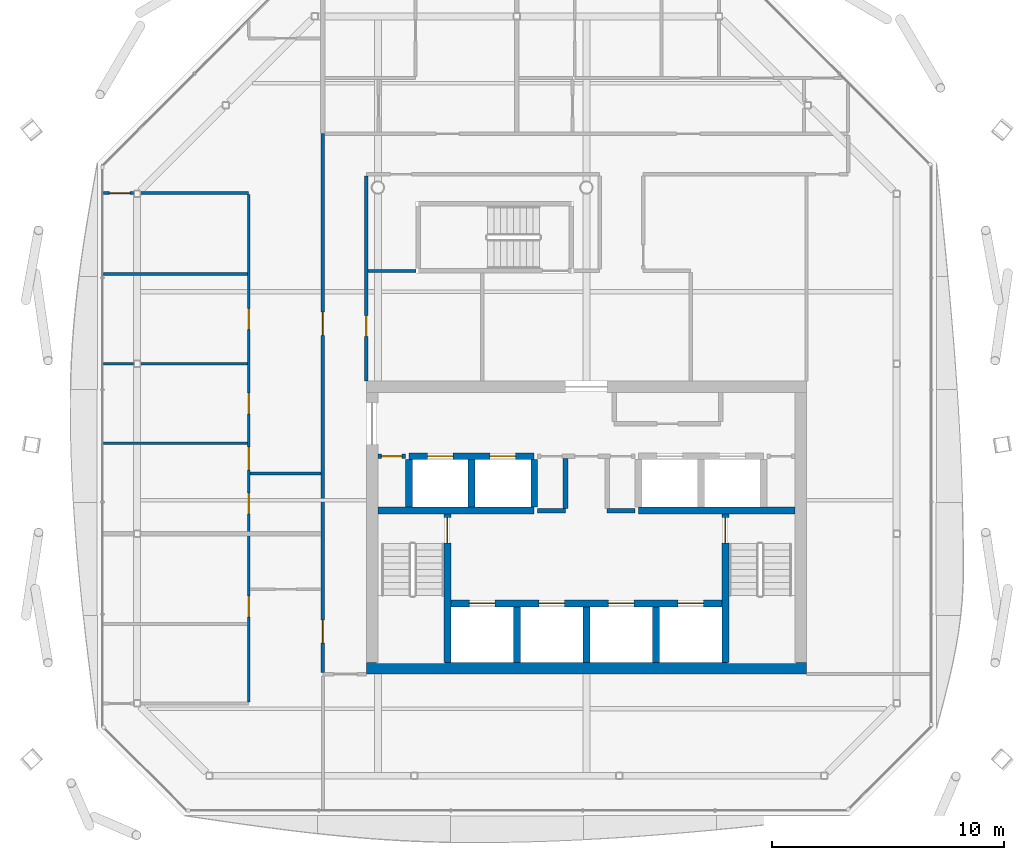
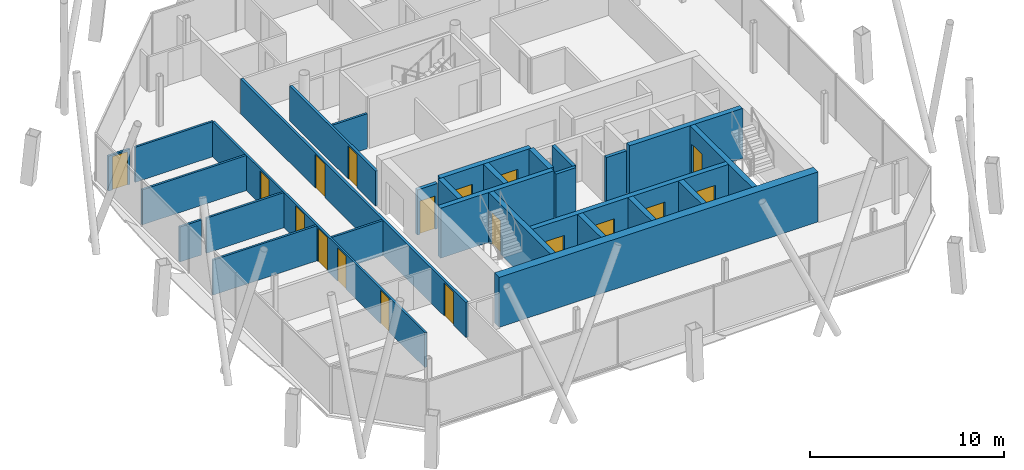
# One storey, part 12 of 17: 28 walls, 18 doors, 18 openings.
"""IFC4 building model written with IfcOpenShell, lengths in metres."""

from ifc_helpers import new_model, si_unit, direction, frame, frame_2d, origin, place, context, subcontext, project, spatial, rectangle, extrude, material, layer, layer_set, type_object, element, fill, save


model = new_model("IFC4")

# Units and contexts
model_context = context("Model", 3, precision=1e-05, world=origin(), true_north=direction((0.0, 1.0)))
body_context = subcontext(model_context, "Body", "Model", "MODEL_VIEW")
ifc_project = project(units=[si_unit("LENGTHUNIT", "METRE"), si_unit("AREAUNIT", "SQUARE_METRE"), si_unit("VOLUMEUNIT", "CUBIC_METRE"), si_unit("PLANEANGLEUNIT", "RADIAN"), si_unit("MASSUNIT", "GRAM", prefix="KILO")], contexts=[model_context])

# Site, building, storey
site_placement = place(None, origin())
site = spatial("IfcSite", under=ifc_project, at=site_placement, CompositionType="ELEMENT")
building_placement = place(site_placement, origin())
building = spatial("IfcBuilding", under=site, at=building_placement, Name="Tskaro Facet Tower", CompositionType="ELEMENT")
storey_placement = place(building_placement, frame((0.0, 0.0, 236.10009765625)))
storey = spatial("IfcBuildingStorey", under=building, at=storey_placement, Name="L61", CompositionType="ELEMENT", Elevation=236.10009765625)

# Wall, openings, doors
ifc_material_1 = material(Name="Concrete C60/75", Category="concrete")
ifc_layer_1 = layer(ifc_material_1, 0.300048828125, Name="Concrete C60/75")
ifc_layer_set_1 = layer_set([ifc_layer_1], Name="Concrete C60/75")
wall_type_1 = type_object("IfcWallType", Name="CORE-SHAFT", PredefinedType="SHEAR", material=ifc_layer_set_1)
wall_1_placement = place(storey_placement, frame((-5.85009765625, -8.949951171875, 0.0), z_axis=(0.0, 0.0, 1.0), x_axis=(1.0, 0.0, 0.0)))
wall_1 = element("IfcWall", 1, at=wall_1_placement, inside=storey, type_object=wall_type_1, Name="Shaft wall W006", PredefinedType="SHEAR", context=body_context, shape_type="SweptSolid", body=[
    extrude(rectangle(XDim=11.7001953125, YDim=0.300048828125, at=frame_2d((5.85009765625, 0.0))), origin(), (0.0, 0.0, 1.0), 3.14990234375),
])
opening_1_placement = place(wall_1_placement, frame((0.800048828125, 0.0, 0.0)))
opening_1 = element("IfcOpeningElement", 2, at=opening_1_placement, cuts=wall_1, Name="Opening LD-FF1", PredefinedType="OPENING", context=body_context, shape_type="SweptSolid", body=[
    extrude(rectangle(XDim=1.10009765625, YDim=2.10009765625, at=frame_2d((0.550048828125, 1.050048828125))), frame((0.0, 0.159912109375, 0.0), z_axis=(0.0, -1.0, 0.0), x_axis=(1.0, 0.0, 0.0)), (0.0, 0.0, 1.0), 0.320068359375),
])
opening_2_placement = place(wall_1_placement, frame((3.800048828125, 0.0, 0.0)))
opening_2 = element("IfcOpeningElement", 3, at=opening_2_placement, cuts=wall_1, Name="Opening LD-FF2", PredefinedType="OPENING", context=body_context, shape_type="SweptSolid", body=[
    extrude(rectangle(XDim=1.10009765625, YDim=2.10009765625, at=frame_2d((0.550048828125, 1.050048828125))), frame((0.0, 0.159912109375, 0.0), z_axis=(0.0, -1.0, 0.0), x_axis=(1.0, 0.0, 0.0)), (0.0, 0.0, 1.0), 0.320068359375),
])
opening_3_placement = place(wall_1_placement, frame((6.800048828125, 0.0, 0.0)))
opening_3 = element("IfcOpeningElement", 4, at=opening_3_placement, cuts=wall_1, Name="Opening LD-SV1", PredefinedType="OPENING", context=body_context, shape_type="SweptSolid", body=[
    extrude(rectangle(XDim=1.10009765625, YDim=2.10009765625, at=frame_2d((0.550048828125, 1.050048828125))), frame((0.0, 0.159912109375, 0.0), z_axis=(0.0, -1.0, 0.0), x_axis=(1.0, 0.0, 0.0)), (0.0, 0.0, 1.0), 0.320068359375),
])
opening_4_placement = place(wall_1_placement, frame((9.800048828125, 0.0, 0.0)))
opening_4 = element("IfcOpeningElement", 5, at=opening_4_placement, cuts=wall_1, Name="Opening LD-SV2", PredefinedType="OPENING", context=body_context, shape_type="SweptSolid", body=[
    extrude(rectangle(XDim=1.10009765625, YDim=2.10009765625, at=frame_2d((0.550048828125, 1.050048828125))), frame((0.0, 0.159912109375, 0.0), z_axis=(0.0, -1.0, 0.0), x_axis=(1.0, 0.0, 0.0)), (0.0, 0.0, 1.0), 0.320068359375),
])
ifc_material_2 = material(Name="Stainless steel", Category="steel")
door_type_1 = type_object("IfcDoorType", Name="D-LANDING", OperationType="NOTDEFINED", PredefinedType="DOOR", material=ifc_material_2)
door_1_placement = place(opening_1_placement, origin())
door_1 = element("IfcDoor", 6, at=door_1_placement, inside=storey, type_object=door_type_1, Name="Landing door FF1", OperationType="DOUBLE_DOOR_SLIDING", OverallHeight=2.10009765625, OverallWidth=1.10009765625, PredefinedType="DOOR", context=body_context, shape_type="SweptSolid", body=[
    extrude(rectangle(XDim=1.10009765625, YDim=2.10009765625, at=frame_2d((0.550048828125, 1.050048828125))), frame((0.0, 0.02490234375, 0.0), z_axis=(0.0, -1.0, 0.0), x_axis=(1.0, 0.0, 0.0)), (0.0, 0.0, 1.0), 0.050048828125),
])
fill(opening_1, door_1)
door_2_placement = place(opening_2_placement, origin())
door_2 = element("IfcDoor", 7, at=door_2_placement, inside=storey, type_object=door_type_1, Name="Landing door FF2", OperationType="DOUBLE_DOOR_SLIDING", OverallHeight=2.10009765625, OverallWidth=1.10009765625, PredefinedType="DOOR", context=body_context, shape_type="SweptSolid", body=[
    extrude(rectangle(XDim=1.10009765625, YDim=2.10009765625, at=frame_2d((0.550048828125, 1.050048828125))), frame((0.0, 0.02490234375, 0.0), z_axis=(0.0, -1.0, 0.0), x_axis=(1.0, 0.0, 0.0)), (0.0, 0.0, 1.0), 0.050048828125),
])
fill(opening_2, door_2)
door_3_placement = place(opening_3_placement, origin())
door_3 = element("IfcDoor", 8, at=door_3_placement, inside=storey, type_object=door_type_1, Name="Landing door SV1", OperationType="DOUBLE_DOOR_SLIDING", OverallHeight=2.10009765625, OverallWidth=1.10009765625, PredefinedType="DOOR", context=body_context, shape_type="SweptSolid", body=[
    extrude(rectangle(XDim=1.10009765625, YDim=2.10009765625, at=frame_2d((0.550048828125, 1.050048828125))), frame((0.0, 0.02490234375, 0.0), z_axis=(0.0, -1.0, 0.0), x_axis=(1.0, 0.0, 0.0)), (0.0, 0.0, 1.0), 0.050048828125),
])
fill(opening_3, door_3)
door_4_placement = place(opening_4_placement, origin())
door_4 = element("IfcDoor", 9, at=door_4_placement, inside=storey, type_object=door_type_1, Name="Landing door SV2", OperationType="DOUBLE_DOOR_SLIDING", OverallHeight=2.10009765625, OverallWidth=1.10009765625, PredefinedType="DOOR", context=body_context, shape_type="SweptSolid", body=[
    extrude(rectangle(XDim=1.10009765625, YDim=2.10009765625, at=frame_2d((0.550048828125, 1.050048828125))), frame((0.0, 0.02490234375, 0.0), z_axis=(0.0, -1.0, 0.0), x_axis=(1.0, 0.0, 0.0)), (0.0, 0.0, 1.0), 0.050048828125),
])
fill(opening_4, door_4)

# Walls
for number, where, z_axis, x_axis, name in (
    (10, (-9.0, -4.949951171875, 0.0), (0.0, 0.0, 1.0), (1.0, 0.0, 0.0), "Shaft wall W010"),
    (11, (2.25, -4.949951171875, 0.0), (0.0, 0.0, 1.0), (1.0, 0.0, 0.0), "Shaft wall W013"),
):
    element("IfcWall", number, at=place(storey_placement, frame(where, z_axis=z_axis, x_axis=x_axis)), inside=storey, type_object=wall_type_1, Name=name, PredefinedType="SHEAR", context=body_context, shape_type="SweptSolid", body=[
        extrude(rectangle(XDim=6.75, YDim=0.300048828125, at=frame_2d((3.375, 0.0))), origin(), (0.0, 0.0, 1.0), 3.14990234375),
    ])

# Wall, openings, doors
wall_2_placement = place(storey_placement, frame((-7.64990234375, -2.60009765625, 0.0), z_axis=(0.0, 0.0, 1.0), x_axis=(1.0, 0.0, 0.0)))
wall_2 = element("IfcWall", 12, at=wall_2_placement, inside=storey, type_object=wall_type_1, Name="Shaft wall W016", PredefinedType="SHEAR", context=body_context, shape_type="SweptSolid", body=[
    extrude(rectangle(XDim=5.39990234375, YDim=0.300048828125, at=frame_2d((2.699951171875, 0.0))), origin(), (0.0, 0.0, 1.0), 3.14990234375),
])
opening_5_placement = place(wall_2_placement, frame((0.800048828125, 0.0, 0.0)))
opening_5 = element("IfcOpeningElement", 13, at=opening_5_placement, cuts=wall_2, Name="Opening LD-HB1", PredefinedType="OPENING", context=body_context, shape_type="SweptSolid", body=[
    extrude(rectangle(XDim=1.10009765625, YDim=2.10009765625, at=frame_2d((0.550048828125, 1.050048828125))), frame((0.0, 0.159912109375, 0.0), z_axis=(0.0, -1.0, 0.0), x_axis=(1.0, 0.0, 0.0)), (0.0, 0.0, 1.0), 0.320068359375),
])
opening_6_placement = place(wall_2_placement, frame((3.5, 0.0, 0.0)))
opening_6 = element("IfcOpeningElement", 14, at=opening_6_placement, cuts=wall_2, Name="Opening LD-HB2", PredefinedType="OPENING", context=body_context, shape_type="SweptSolid", body=[
    extrude(rectangle(XDim=1.10009765625, YDim=2.10009765625, at=frame_2d((0.550048828125, 1.050048828125))), frame((0.0, 0.159912109375, 0.0), z_axis=(0.0, -1.0, 0.0), x_axis=(1.0, 0.0, 0.0)), (0.0, 0.0, 1.0), 0.320068359375),
])
door_5_placement = place(opening_5_placement, origin())
door_5 = element("IfcDoor", 15, at=door_5_placement, inside=storey, type_object=door_type_1, Name="Landing door HB1", OperationType="DOUBLE_DOOR_SLIDING", OverallHeight=2.10009765625, OverallWidth=1.10009765625, PredefinedType="DOOR", context=body_context, shape_type="SweptSolid", body=[
    extrude(rectangle(XDim=1.10009765625, YDim=2.10009765625, at=frame_2d((0.550048828125, 1.050048828125))), frame((0.0, 0.02490234375, 0.0), z_axis=(0.0, -1.0, 0.0), x_axis=(1.0, 0.0, 0.0)), (0.0, 0.0, 1.0), 0.050048828125),
])
fill(opening_5, door_5)
door_6_placement = place(opening_6_placement, origin())
door_6 = element("IfcDoor", 16, at=door_6_placement, inside=storey, type_object=door_type_1, Name="Landing door HB2", OperationType="DOUBLE_DOOR_SLIDING", OverallHeight=2.10009765625, OverallWidth=1.10009765625, PredefinedType="DOOR", context=body_context, shape_type="SweptSolid", body=[
    extrude(rectangle(XDim=1.10009765625, YDim=2.10009765625, at=frame_2d((0.550048828125, 1.050048828125))), frame((0.0, 0.02490234375, 0.0), z_axis=(0.0, -1.0, 0.0), x_axis=(1.0, 0.0, 0.0)), (0.0, 0.0, 1.0), 0.050048828125),
])
fill(opening_6, door_6)

# Wall
wall_3_placement = place(storey_placement, frame((-7.64990234375, -4.800048828125, 0.0), z_axis=(0.0, 0.0, 1.0), x_axis=(0.0, 1.0, 0.0)))
element("IfcWall", 17, at=wall_3_placement, inside=storey, type_object=wall_type_1, Name="Shaft wall W046", PredefinedType="SHEAR", context=body_context, shape_type="SweptSolid", body=[
    extrude(rectangle(XDim=2.050048828125, YDim=0.300048828125, at=frame_2d((1.02490234375, 0.0))), origin(), (0.0, 0.0, 1.0), 3.14990234375),
])

# Wall, opening, door
wall_4_placement = place(storey_placement, frame((-6.0, -11.5, 0.0), z_axis=(0.0, 0.0, 1.0), x_axis=(0.0, 1.0, 0.0)))
wall_4 = element("IfcWall", 18, at=wall_4_placement, inside=storey, type_object=wall_type_1, Name="Shaft wall W049", PredefinedType="SHEAR", context=body_context, shape_type="SweptSolid", body=[
    extrude(rectangle(XDim=6.39990234375, YDim=0.300048828125, at=frame_2d((3.199951171875, 0.0))), origin(), (0.0, 0.0, 1.0), 3.14990234375),
])
opening_7_placement = place(wall_4_placement, frame((5.14990234375, 0.0, 0.0)))
opening_7 = element("IfcOpeningElement", 19, at=opening_7_placement, cuts=wall_4, Name="Opening ST-1-D1", PredefinedType="OPENING", context=body_context, shape_type="SweptSolid", body=[
    extrude(rectangle(XDim=1.10009765625, YDim=2.10009765625, at=frame_2d((0.550048828125, 1.050048828125))), frame((0.0, 0.159912109375, 0.0), z_axis=(0.0, -1.0, 0.0), x_axis=(1.0, 0.0, 0.0)), (0.0, 0.0, 1.0), 0.320068359375),
])
ifc_material_3 = material(Name="Steel", Category="steel")
door_type_2 = type_object("IfcDoorType", Name="D-STAIR", OperationType="NOTDEFINED", PredefinedType="DOOR", material=ifc_material_3)
door_7_placement = place(opening_7_placement, origin())
door_7 = element("IfcDoor", 20, at=door_7_placement, inside=storey, type_object=door_type_2, Name="Stair door 1", OperationType="SINGLE_SWING_LEFT", OverallHeight=2.10009765625, OverallWidth=1.10009765625, PredefinedType="DOOR", context=body_context, shape_type="SweptSolid", body=[
    extrude(rectangle(XDim=1.10009765625, YDim=2.10009765625, at=frame_2d((0.550048828125, 1.050048828125))), frame((0.0, 0.02490234375, 0.0), z_axis=(0.0, -1.0, 0.0), x_axis=(1.0, 0.0, 0.0)), (0.0, 0.0, 1.0), 0.050048828125),
])
fill(opening_7, door_7)

# Walls
wall_5_placement = place(storey_placement, frame((-4.949951171875, -4.800048828125, 0.0), z_axis=(0.0, 0.0, 1.0), x_axis=(0.0, 1.0, 0.0)))
element("IfcWall", 21, at=wall_5_placement, inside=storey, type_object=wall_type_1, Name="Shaft wall W050", PredefinedType="SHEAR", context=body_context, shape_type="SweptSolid", body=[
    extrude(rectangle(XDim=2.050048828125, YDim=0.300048828125, at=frame_2d((1.02490234375, 0.0))), origin(), (0.0, 0.0, 1.0), 3.14990234375),
])
wall_6_placement = place(storey_placement, frame((-3.0, -11.5, 0.0), z_axis=(0.0, 0.0, 1.0), x_axis=(0.0, 1.0, 0.0)))
element("IfcWall", 22, at=wall_6_placement, inside=storey, type_object=wall_type_1, Name="Shaft wall W052", PredefinedType="SHEAR", context=body_context, shape_type="SweptSolid", body=[
    extrude(rectangle(XDim=2.39990234375, YDim=0.300048828125, at=frame_2d((1.199951171875, 0.0))), origin(), (0.0, 0.0, 1.0), 3.14990234375),
])
wall_7_placement = place(storey_placement, frame((-2.25, -4.800048828125, 0.0), z_axis=(0.0, 0.0, 1.0), x_axis=(0.0, 1.0, 0.0)))
element("IfcWall", 23, at=wall_7_placement, inside=storey, type_object=wall_type_1, Name="Shaft wall W055", PredefinedType="SHEAR", context=body_context, shape_type="SweptSolid", body=[
    extrude(rectangle(XDim=2.050048828125, YDim=0.300048828125, at=frame_2d((1.02490234375, 0.0))), origin(), (0.0, 0.0, 1.0), 3.14990234375),
])
for number, where, z_axis, x_axis, name in (
    (24, (0.0, -11.5, 0.0), (0.0, 0.0, 1.0), (0.0, 1.0, 0.0), "Shaft wall W060"),
    (25, (3.0, -11.5, 0.0), (0.0, 0.0, 1.0), (0.0, 1.0, 0.0), "Shaft wall W066"),
):
    element("IfcWall", number, at=place(storey_placement, frame(where, z_axis=z_axis, x_axis=x_axis)), inside=storey, type_object=wall_type_1, Name=name, PredefinedType="SHEAR", context=body_context, shape_type="SweptSolid", body=[
        extrude(rectangle(XDim=2.39990234375, YDim=0.300048828125, at=frame_2d((1.199951171875, 0.0))), origin(), (0.0, 0.0, 1.0), 3.14990234375),
    ])

# Wall, opening, door
wall_8_placement = place(storey_placement, frame((6.0, -5.10009765625, 0.0), z_axis=(0.0, 0.0, 1.0), x_axis=(0.0, -1.0, 0.0)))
wall_8 = element("IfcWall", 26, at=wall_8_placement, inside=storey, type_object=wall_type_1, Name="Shaft wall W073", PredefinedType="SHEAR", context=body_context, shape_type="SweptSolid", body=[
    extrude(rectangle(XDim=6.39990234375, YDim=0.300048828125, at=frame_2d((3.199951171875, 0.0))), origin(), (0.0, 0.0, 1.0), 3.14990234375),
])
opening_8_placement = place(wall_8_placement, frame((0.14990234375, 0.0, 0.0)))
opening_8 = element("IfcOpeningElement", 27, at=opening_8_placement, cuts=wall_8, Name="Opening ST-2-D1", PredefinedType="OPENING", context=body_context, shape_type="SweptSolid", body=[
    extrude(rectangle(XDim=1.10009765625, YDim=2.10009765625, at=frame_2d((0.550048828125, 1.050048828125))), frame((0.0, 0.159912109375, 0.0), z_axis=(0.0, -1.0, 0.0), x_axis=(1.0, 0.0, 0.0)), (0.0, 0.0, 1.0), 0.320068359375),
])
door_8_placement = place(opening_8_placement, origin())
door_8 = element("IfcDoor", 28, at=door_8_placement, inside=storey, type_object=door_type_2, Name="Stair door 2", OperationType="SINGLE_SWING_RIGHT", OverallHeight=2.10009765625, OverallWidth=1.10009765625, PredefinedType="DOOR", context=body_context, shape_type="SweptSolid", body=[
    extrude(rectangle(XDim=1.10009765625, YDim=2.10009765625, at=frame_2d((0.550048828125, 1.050048828125))), frame((0.0, 0.02490234375, 0.0), z_axis=(0.0, -1.0, 0.0), x_axis=(1.0, 0.0, 0.0)), (0.0, 0.0, 1.0), 0.050048828125),
])
fill(opening_8, door_8)

# Walls
ifc_material_4 = material(Name="Concrete C20/25", Category="concrete")
ifc_layer_2 = layer(ifc_material_4, 0.199951171875, Name="Concrete C20/25")
ifc_layer_set_2 = layer_set([ifc_layer_2], Name="Concrete C20/25")
wall_type_2 = type_object("IfcWallType", Name="CORE-WALL", PredefinedType="SOLIDWALL", material=ifc_layer_set_2)
for number, where, z_axis, x_axis, name in (
    (29, (-2.10009765625, -4.949951171875, 0.0), (0.0, 0.0, 1.0), (1.0, 0.0, 0.0), "Core room wall W011"),
    (30, (0.89990234375, -4.949951171875, 0.0), (0.0, 0.0, 1.0), (1.0, 0.0, 0.0), "Core room wall W012"),
):
    element("IfcWall", number, at=place(storey_placement, frame(where, z_axis=z_axis, x_axis=x_axis)), inside=storey, type_object=wall_type_2, Name=name, PredefinedType="SOLIDWALL", context=body_context, shape_type="SweptSolid", body=[
        extrude(rectangle(XDim=1.2001953125, YDim=0.199951171875, at=frame_2d((0.60009765625, 0.0))), origin(), (0.0, 0.0, 1.0), 2.849853515625),
    ])

# Wall, opening, door
wall_9_placement = place(storey_placement, frame((-7.800048828125, -2.60009765625, 0.0), z_axis=(0.0, 0.0, 1.0), x_axis=(-1.0, 0.0, 0.0)))
wall_9 = element("IfcWall", 31, at=wall_9_placement, inside=storey, type_object=wall_type_2, Name="Core room wall W015", PredefinedType="SOLIDWALL", context=body_context, shape_type="SweptSolid", body=[
    extrude(rectangle(XDim=1.199951171875, YDim=0.199951171875, at=frame_2d((0.60009765625, 0.0))), origin(), (0.0, 0.0, 1.0), 2.849853515625),
])
opening_9_placement = place(wall_9_placement, frame((0.14990234375, 0.0, 0.0)))
opening_9 = element("IfcOpeningElement", 32, at=opening_9_placement, cuts=wall_9, Name="Opening T18-D08", PredefinedType="OPENING", context=body_context, shape_type="SweptSolid", body=[
    extrude(rectangle(XDim=0.89990234375, YDim=2.10009765625, at=frame_2d((0.449951171875, 1.050048828125))), frame((0.0, 0.10986328125, 0.0), z_axis=(0.0, -1.0, 0.0), x_axis=(1.0, 0.0, 0.0)), (0.0, 0.0, 1.0), 0.219970703125),
])
ifc_material_5 = material(Name="Timber", Category="wood")
door_type_3 = type_object("IfcDoorType", Name="D-ROOM", OperationType="NOTDEFINED", PredefinedType="DOOR", material=ifc_material_5)
door_9_placement = place(opening_9_placement, origin())
door_9 = element("IfcDoor", 33, at=door_9_placement, inside=storey, type_object=door_type_3, Name="Door T18-D08", OperationType="SINGLE_SWING_RIGHT", OverallHeight=2.10009765625, OverallWidth=0.89990234375, PredefinedType="DOOR", context=body_context, shape_type="SweptSolid", body=[
    extrude(rectangle(XDim=0.89990234375, YDim=2.10009765625, at=frame_2d((0.449951171875, 1.050048828125))), frame((0.0, 0.02490234375, 0.0), z_axis=(0.0, -1.0, 0.0), x_axis=(1.0, 0.0, 0.0)), (0.0, 0.0, 1.0), 0.050048828125),
])
fill(opening_9, door_9)

# Walls
wall_10_placement = place(storey_placement, frame((-0.89990234375, -4.85009765625, 0.0), z_axis=(0.0, 0.0, 1.0), x_axis=(0.0, 1.0, 0.0)))
element("IfcWall", 34, at=wall_10_placement, inside=storey, type_object=wall_type_2, Name="Core room wall W056", PredefinedType="SOLIDWALL", context=body_context, shape_type="SweptSolid", body=[
    extrude(rectangle(XDim=2.150146484375, YDim=0.199951171875, at=frame_2d((1.0751953125, 0.0))), origin(), (0.0, 0.0, 1.0), 2.849853515625),
])
ifc_material_6 = material(Name="Concrete C40/50", Category="concrete")
ifc_layer_3 = layer(ifc_material_6, 0.5, Name="Concrete C40/50")
ifc_layer_set_3 = layer_set([ifc_layer_3], Name="Concrete C40/50")
wall_type_3 = type_object("IfcWallType", Name="Core wall 500", PredefinedType="SHEAR", material=ifc_layer_set_3)
wall_11_placement = place(storey_placement, frame((-9.5, -11.75, 0.0), z_axis=(0.0, 0.0, 1.0), x_axis=(1.0, 0.0, 0.0)))
element("IfcWall", 35, at=wall_11_placement, inside=storey, type_object=wall_type_3, Name="Core wall CW-Z3S", PredefinedType="SHEAR", context=body_context, shape_type="SweptSolid", body=[
    extrude(rectangle(XDim=19.0, YDim=0.5, at=frame_2d((9.5, 0.0))), origin(), (0.0, 0.0, 1.0), 3.14990234375),
])
ifc_material_7 = material(Name="Gypsum board on steel studs", Category="steel")
ifc_layer_4 = layer(ifc_material_7, 0.125, Name="Gypsum board on steel studs")
ifc_layer_set_4 = layer_set([ifc_layer_4], Name="Gypsum board on steel studs")
wall_type_4 = type_object("IfcWallType", Name="PART", PredefinedType="PARTITIONING", material=ifc_layer_set_4)
wall_12_placement = place(storey_placement, frame((-14.512451171875, -3.340087890625, 0.0), z_axis=(0.0, 0.0, 1.0), x_axis=(1.0, 0.0, 0.0)))
element("IfcWall", 36, at=wall_12_placement, inside=storey, type_object=wall_type_4, Name="Partition W014", PredefinedType="PARTITIONING", context=body_context, shape_type="SweptSolid", body=[
    extrude(rectangle(XDim=3.0625, YDim=0.125, at=frame_2d((1.53125, 0.0))), origin(), (0.0, 0.0, 1.0), 2.2099609375),
])
wall_13_placement = place(storey_placement, frame((-20.839111328125, -2.0400390625, 0.0), z_axis=(0.0, 0.0, 1.0), x_axis=(1.0, 0.0, 0.0)))
element("IfcWall", 37, at=wall_13_placement, inside=storey, type_object=wall_type_4, Name="Partition W020", PredefinedType="PARTITIONING", context=body_context, shape_type="SweptSolid", body=[
    extrude(rectangle(XDim=6.20166015625, YDim=0.125, at=frame_2d((3.100830078125, 0.0))), origin(), (0.0, 0.0, 1.0), 2.2099609375),
])
wall_14_placement = place(storey_placement, frame((-20.839111328125, 1.39501953125, 0.0), z_axis=(0.0, 0.0, 1.0), x_axis=(1.0, 0.0, 0.0)))
element("IfcWall", 38, at=wall_14_placement, inside=storey, type_object=wall_type_4, Name="Partition W022", PredefinedType="PARTITIONING", context=body_context, shape_type="SweptSolid", body=[
    extrude(rectangle(XDim=1.298095703125, YDim=0.125, at=frame_2d((0.64892578125, 0.0))), origin(), (0.0, 0.0, 1.0), 2.2099609375),
])
wall_15_placement = place(storey_placement, frame((-19.240966796875, 1.39501953125, 0.0), z_axis=(0.0, 0.0, 1.0), x_axis=(1.0, 0.0, 0.0)))
element("IfcWall", 39, at=wall_15_placement, inside=storey, type_object=wall_type_4, Name="Partition W023", PredefinedType="PARTITIONING", context=body_context, shape_type="SweptSolid", body=[
    extrude(rectangle(XDim=4.603515625, YDim=0.125, at=frame_2d((2.3017578125, 0.0))), origin(), (0.0, 0.0, 1.0), 2.2099609375),
])
wall_16_placement = place(storey_placement, frame((-20.839111328125, 5.260009765625, 0.0), z_axis=(0.0, 0.0, 1.0), x_axis=(1.0, 0.0, 0.0)))
element("IfcWall", 40, at=wall_16_placement, inside=storey, type_object=wall_type_4, Name="Partition W024", PredefinedType="PARTITIONING", context=body_context, shape_type="SweptSolid", body=[
    extrude(rectangle(XDim=6.20166015625, YDim=0.125, at=frame_2d((3.100830078125, 0.0))), origin(), (0.0, 0.0, 1.0), 2.2099609375),
])
wall_17_placement = place(storey_placement, frame((-9.425048828125, 5.39990234375, 0.0), z_axis=(0.0, 0.0, 1.0), x_axis=(1.0, 0.0, 0.0)))
element("IfcWall", 41, at=wall_17_placement, inside=storey, type_object=wall_type_4, Name="Partition W025", PredefinedType="PARTITIONING", context=body_context, shape_type="SweptSolid", body=[
    extrude(rectangle(XDim=2.074951171875, YDim=0.125, at=frame_2d((1.03759765625, 0.0))), origin(), (0.0, 0.0, 1.0), 2.2099609375),
])

# Wall, opening, door
wall_18_placement = place(storey_placement, frame((-19.541015625, 8.760009765625, 0.0), z_axis=(0.0, 0.0, 1.0), x_axis=(-1.0, 0.0, 0.0)))
wall_18 = element("IfcWall", 42, at=wall_18_placement, inside=storey, type_object=wall_type_4, Name="Partition W030", PredefinedType="PARTITIONING", context=body_context, shape_type="SweptSolid", body=[
    extrude(rectangle(XDim=1.298095703125, YDim=0.125, at=frame_2d((0.64892578125, 0.0))), origin(), (0.0, 0.0, 1.0), 2.2099609375),
])
opening_10_placement = place(wall_18_placement, frame((0.14990234375, 0.0, 0.0)))
opening_10 = element("IfcOpeningElement", 43, at=opening_10_placement, cuts=wall_18, Name="Opening T18-D20", PredefinedType="OPENING", context=body_context, shape_type="SweptSolid", body=[
    extrude(rectangle(XDim=0.89990234375, YDim=2.10009765625, at=frame_2d((0.449951171875, 1.050048828125))), frame((0.0, 0.072509765625, 0.0), z_axis=(0.0, -1.0, 0.0), x_axis=(1.0, 0.0, 0.0)), (0.0, 0.0, 1.0), 0.14501953125),
])
door_10_placement = place(opening_10_placement, origin())
door_10 = element("IfcDoor", 44, at=door_10_placement, inside=storey, type_object=door_type_3, Name="Door T18-D20", OperationType="SINGLE_SWING_RIGHT", OverallHeight=2.10009765625, OverallWidth=0.89990234375, PredefinedType="DOOR", context=body_context, shape_type="SweptSolid", body=[
    extrude(rectangle(XDim=0.89990234375, YDim=2.10009765625, at=frame_2d((0.449951171875, 1.050048828125))), frame((0.0, 0.02490234375, 0.0), z_axis=(0.0, -1.0, 0.0), x_axis=(1.0, 0.0, 0.0)), (0.0, 0.0, 1.0), 0.050048828125),
])
fill(opening_10, door_10)

# Wall
wall_19_placement = place(storey_placement, frame((-19.240966796875, 8.760009765625, 0.0), z_axis=(0.0, 0.0, 1.0), x_axis=(1.0, 0.0, 0.0)))
element("IfcWall", 45, at=wall_19_placement, inside=storey, type_object=wall_type_4, Name="Partition W031", PredefinedType="PARTITIONING", context=body_context, shape_type="SweptSolid", body=[
    extrude(rectangle(XDim=4.666015625, YDim=0.125, at=frame_2d((2.3330078125, 0.0))), origin(), (0.0, 0.0, 1.0), 2.2099609375),
])

# Wall, openings, doors
wall_20_placement = place(storey_placement, frame((-14.574951171875, -13.20751953125, 0.0), z_axis=(0.0, 0.0, 1.0), x_axis=(0.0, 1.0, 0.0)))
wall_20 = element("IfcWall", 46, at=wall_20_placement, inside=storey, type_object=wall_type_4, Name="Partition W039", PredefinedType="PARTITIONING", context=body_context, shape_type="SweptSolid", body=[
    extrude(rectangle(XDim=21.905029296875, YDim=0.125, at=frame_2d((10.95263671875, 0.0))), origin(), (0.0, 0.0, 1.0), 2.2099609375),
])
opening_11_placement = place(wall_20_placement, frame((3.66748046875, 0.0, 0.0)))
opening_11 = element("IfcOpeningElement", 47, at=opening_11_placement, cuts=wall_20, Name="Opening T18-D04", PredefinedType="OPENING", context=body_context, shape_type="SweptSolid", body=[
    extrude(rectangle(XDim=0.89990234375, YDim=2.10009765625, at=frame_2d((0.449951171875, 1.050048828125))), frame((0.0, 0.072509765625, 0.0), z_axis=(0.0, -1.0, 0.0), x_axis=(1.0, 0.0, 0.0)), (0.0, 0.0, 1.0), 0.14501953125),
])
opening_12_placement = place(wall_20_placement, frame((12.43505859375, 0.0, 0.0)))
opening_12 = element("IfcOpeningElement", 48, at=opening_12_placement, cuts=wall_20, Name="Opening T18-D14", PredefinedType="OPENING", context=body_context, shape_type="SweptSolid", body=[
    extrude(rectangle(XDim=0.89990234375, YDim=2.10009765625, at=frame_2d((0.449951171875, 1.050048828125))), frame((0.0, 0.072509765625, 0.0), z_axis=(0.0, -1.0, 0.0), x_axis=(1.0, 0.0, 0.0)), (0.0, 0.0, 1.0), 0.14501953125),
])
opening_13_placement = place(wall_20_placement, frame((16.0849609375, 0.0, 0.0)))
opening_13 = element("IfcOpeningElement", 49, at=opening_13_placement, cuts=wall_20, Name="Opening T18-D18", PredefinedType="OPENING", context=body_context, shape_type="SweptSolid", body=[
    extrude(rectangle(XDim=0.89990234375, YDim=2.10009765625, at=frame_2d((0.449951171875, 1.050048828125))), frame((0.0, 0.072509765625, 0.0), z_axis=(0.0, -1.0, 0.0), x_axis=(1.0, 0.0, 0.0)), (0.0, 0.0, 1.0), 0.14501953125),
])
opening_14_placement = place(wall_20_placement, frame((10.017578125, 0.0, 0.0)))
opening_14 = element("IfcOpeningElement", 50, at=opening_14_placement, cuts=wall_20, Name="Opening T18-D07", PredefinedType="OPENING", context=body_context, shape_type="SweptSolid", body=[
    extrude(rectangle(XDim=1.0, YDim=2.10009765625, at=frame_2d((0.5, 1.050048828125))), frame((0.0, 0.072509765625, 0.0), z_axis=(0.0, -1.0, 0.0), x_axis=(1.0, 0.0, 0.0)), (0.0, 0.0, 1.0), 0.14501953125),
])
opening_15_placement = place(wall_20_placement, frame((8.117431640625, 0.0, 0.0)))
opening_15 = element("IfcOpeningElement", 51, at=opening_15_placement, cuts=wall_20, Name="Opening T18-D06", PredefinedType="OPENING", context=body_context, shape_type="SweptSolid", body=[
    extrude(rectangle(XDim=0.89990234375, YDim=2.10009765625, at=frame_2d((0.449951171875, 1.050048828125))), frame((0.0, 0.072509765625, 0.0), z_axis=(0.0, -1.0, 0.0), x_axis=(1.0, 0.0, 0.0)), (0.0, 0.0, 1.0), 0.14501953125),
])
door_11_placement = place(opening_11_placement, origin())
door_11 = element("IfcDoor", 52, at=door_11_placement, inside=storey, type_object=door_type_3, Name="Door T18-D04", OperationType="SINGLE_SWING_LEFT", OverallHeight=2.10009765625, OverallWidth=0.89990234375, PredefinedType="DOOR", context=body_context, shape_type="SweptSolid", body=[
    extrude(rectangle(XDim=0.89990234375, YDim=2.10009765625, at=frame_2d((0.449951171875, 1.050048828125))), frame((0.0, 0.02490234375, 0.0), z_axis=(0.0, -1.0, 0.0), x_axis=(1.0, 0.0, 0.0)), (0.0, 0.0, 1.0), 0.050048828125),
])
fill(opening_11, door_11)
door_12_placement = place(opening_12_placement, origin())
door_12 = element("IfcDoor", 53, at=door_12_placement, inside=storey, type_object=door_type_3, Name="Door T18-D14", OperationType="SINGLE_SWING_LEFT", OverallHeight=2.10009765625, OverallWidth=0.89990234375, PredefinedType="DOOR", context=body_context, shape_type="SweptSolid", body=[
    extrude(rectangle(XDim=0.89990234375, YDim=2.10009765625, at=frame_2d((0.449951171875, 1.050048828125))), frame((0.0, 0.02490234375, 0.0), z_axis=(0.0, -1.0, 0.0), x_axis=(1.0, 0.0, 0.0)), (0.0, 0.0, 1.0), 0.050048828125),
])
fill(opening_12, door_12)
door_13_placement = place(opening_13_placement, origin())
door_13 = element("IfcDoor", 54, at=door_13_placement, inside=storey, type_object=door_type_3, Name="Door T18-D18", OperationType="SINGLE_SWING_LEFT", OverallHeight=2.10009765625, OverallWidth=0.89990234375, PredefinedType="DOOR", context=body_context, shape_type="SweptSolid", body=[
    extrude(rectangle(XDim=0.89990234375, YDim=2.10009765625, at=frame_2d((0.449951171875, 1.050048828125))), frame((0.0, 0.02490234375, 0.0), z_axis=(0.0, -1.0, 0.0), x_axis=(1.0, 0.0, 0.0)), (0.0, 0.0, 1.0), 0.050048828125),
])
fill(opening_13, door_13)
door_14_placement = place(opening_15_placement, origin())
door_14 = element("IfcDoor", 55, at=door_14_placement, inside=storey, type_object=door_type_3, Name="Door T18-D06", OperationType="SINGLE_SWING_LEFT", OverallHeight=2.10009765625, OverallWidth=0.89990234375, PredefinedType="DOOR", context=body_context, shape_type="SweptSolid", body=[
    extrude(rectangle(XDim=0.89990234375, YDim=2.10009765625, at=frame_2d((0.449951171875, 1.050048828125))), frame((0.0, 0.02490234375, 0.0), z_axis=(0.0, -1.0, 0.0), x_axis=(1.0, 0.0, 0.0)), (0.0, 0.0, 1.0), 0.050048828125),
])
fill(opening_15, door_14)
door_type_4 = type_object("IfcDoorType", Name="D-ROOM-WIDE", OperationType="NOTDEFINED", PredefinedType="DOOR", material=ifc_material_5)
door_15_placement = place(opening_14_placement, origin())
door_15 = element("IfcDoor", 56, at=door_15_placement, inside=storey, type_object=door_type_4, Name="Door T18-D07", OperationType="SINGLE_SWING_LEFT", OverallHeight=2.10009765625, OverallWidth=1.0, PredefinedType="DOOR", context=body_context, shape_type="SweptSolid", body=[
    extrude(rectangle(XDim=1.0, YDim=2.10009765625, at=frame_2d((0.5, 1.050048828125))), frame((0.0, 0.02490234375, 0.0), z_axis=(0.0, -1.0, 0.0), x_axis=(1.0, 0.0, 0.0)), (0.0, 0.0, 1.0), 0.050048828125),
])
fill(opening_14, door_15)

ifc_layer_5 = layer(ifc_material_7, 0.14990234375, Name="Gypsum board on steel studs")
ifc_layer_set_5 = layer_set([ifc_layer_5], Name="Gypsum board on steel studs")
wall_type_5 = type_object("IfcWallType", Name="PART-CORR", PredefinedType="PARTITIONING", material=ifc_layer_set_5)
wall_21_placement = place(storey_placement, frame((-11.375, -11.925048828125, 0.0), z_axis=(0.0, 0.0, 1.0), x_axis=(0.0, 1.0, 0.0)))
wall_21 = element("IfcWall", 57, at=wall_21_placement, inside=storey, type_object=wall_type_5, Name="Corridor wall W042", PredefinedType="PARTITIONING", context=body_context, shape_type="SweptSolid", body=[
    extrude(rectangle(XDim=23.25, YDim=0.14990234375, at=frame_2d((11.625, 0.0))), origin(), (0.0, 0.0, 1.0), 2.2099609375),
])
opening_16_placement = place(wall_21_placement, frame((1.2548828125, 0.0, 0.0)))
opening_16 = element("IfcOpeningElement", 58, at=opening_16_placement, cuts=wall_21, Name="Opening T18-D03", PredefinedType="OPENING", context=body_context, shape_type="SweptSolid", body=[
    extrude(rectangle(XDim=1.0, YDim=2.10009765625, at=frame_2d((0.5, 1.050048828125))), frame((0.0, 0.0849609375, 0.0), z_axis=(0.0, -1.0, 0.0), x_axis=(1.0, 0.0, 0.0)), (0.0, 0.0, 1.0), 0.169921875),
])
opening_17_placement = place(wall_21_placement, frame((14.54248046875, 0.0, 0.0)))
opening_17 = element("IfcOpeningElement", 59, at=opening_17_placement, cuts=wall_21, Name="Opening T18-D17", PredefinedType="OPENING", context=body_context, shape_type="SweptSolid", body=[
    extrude(rectangle(XDim=1.0, YDim=2.10009765625, at=frame_2d((0.5, 1.050048828125))), frame((0.0, 0.0849609375, 0.0), z_axis=(0.0, -1.0, 0.0), x_axis=(1.0, 0.0, 0.0)), (0.0, 0.0, 1.0), 0.169921875),
])
door_type_5 = type_object("IfcDoorType", Name="D-FLAT-ENTRY", OperationType="NOTDEFINED", PredefinedType="DOOR", material=ifc_material_5)
door_16_placement = place(opening_16_placement, origin())
door_16 = element("IfcDoor", 60, at=door_16_placement, inside=storey, type_object=door_type_5, Name="Door T18-D03", OperationType="SINGLE_SWING_LEFT", OverallHeight=2.10009765625, OverallWidth=1.0, PredefinedType="DOOR", context=body_context, shape_type="SweptSolid", body=[
    extrude(rectangle(XDim=1.0, YDim=2.10009765625, at=frame_2d((0.5, 1.050048828125))), frame((0.0, 0.02490234375, 0.0), z_axis=(0.0, -1.0, 0.0), x_axis=(1.0, 0.0, 0.0)), (0.0, 0.0, 1.0), 0.050048828125),
])
fill(opening_16, door_16)
door_17_placement = place(opening_17_placement, origin())
door_17 = element("IfcDoor", 61, at=door_17_placement, inside=storey, type_object=door_type_5, Name="Door T18-D17", OperationType="SINGLE_SWING_LEFT", OverallHeight=2.10009765625, OverallWidth=1.0, PredefinedType="DOOR", context=body_context, shape_type="SweptSolid", body=[
    extrude(rectangle(XDim=1.0, YDim=2.10009765625, at=frame_2d((0.5, 1.050048828125))), frame((0.0, 0.02490234375, 0.0), z_axis=(0.0, -1.0, 0.0), x_axis=(1.0, 0.0, 0.0)), (0.0, 0.0, 1.0), 0.050048828125),
])
fill(opening_17, door_17)

# Wall, opening, door
wall_22_placement = place(storey_placement, frame((-9.5, 9.5, 0.0), z_axis=(0.0, 0.0, 1.0), x_axis=(0.0, -1.0, 0.0)))
wall_22 = element("IfcWall", 62, at=wall_22_placement, inside=storey, type_object=wall_type_5, Name="Corridor wall W044", PredefinedType="PARTITIONING", context=body_context, shape_type="SweptSolid", body=[
    extrude(rectangle(XDim=8.85009765625, YDim=0.14990234375, at=frame_2d((4.425048828125, 0.0))), origin(), (0.0, 0.0, 1.0), 2.2099609375),
])
opening_18_placement = place(wall_22_placement, frame((6.02490234375, 0.0, 0.0)))
opening_18 = element("IfcOpeningElement", 63, at=opening_18_placement, cuts=wall_22, Name="Opening T18-D16", PredefinedType="OPENING", context=body_context, shape_type="SweptSolid", body=[
    extrude(rectangle(XDim=0.89990234375, YDim=2.10009765625, at=frame_2d((0.449951171875, 1.050048828125))), frame((0.0, 0.0849609375, 0.0), z_axis=(0.0, -1.0, 0.0), x_axis=(1.0, 0.0, 0.0)), (0.0, 0.0, 1.0), 0.169921875),
])
door_18_placement = place(opening_18_placement, origin())
door_18 = element("IfcDoor", 64, at=door_18_placement, inside=storey, type_object=door_type_3, Name="Door T18-D16", OperationType="SINGLE_SWING_RIGHT", OverallHeight=2.10009765625, OverallWidth=0.89990234375, PredefinedType="DOOR", context=body_context, shape_type="SweptSolid", body=[
    extrude(rectangle(XDim=0.89990234375, YDim=2.10009765625, at=frame_2d((0.449951171875, 1.050048828125))), frame((0.0, 0.02490234375, 0.0), z_axis=(0.0, -1.0, 0.0), x_axis=(1.0, 0.0, 0.0)), (0.0, 0.0, 1.0), 0.050048828125),
])
fill(opening_18, door_18)

save(model, "model.ifc")
